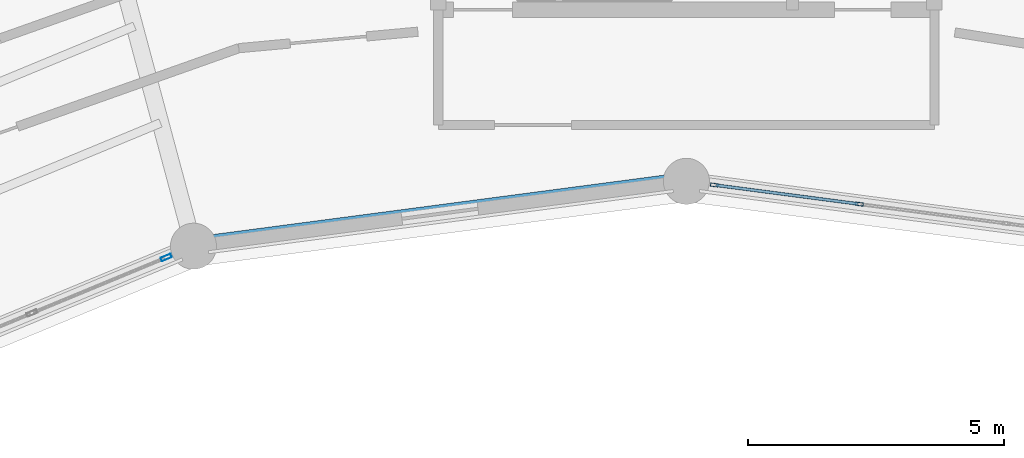
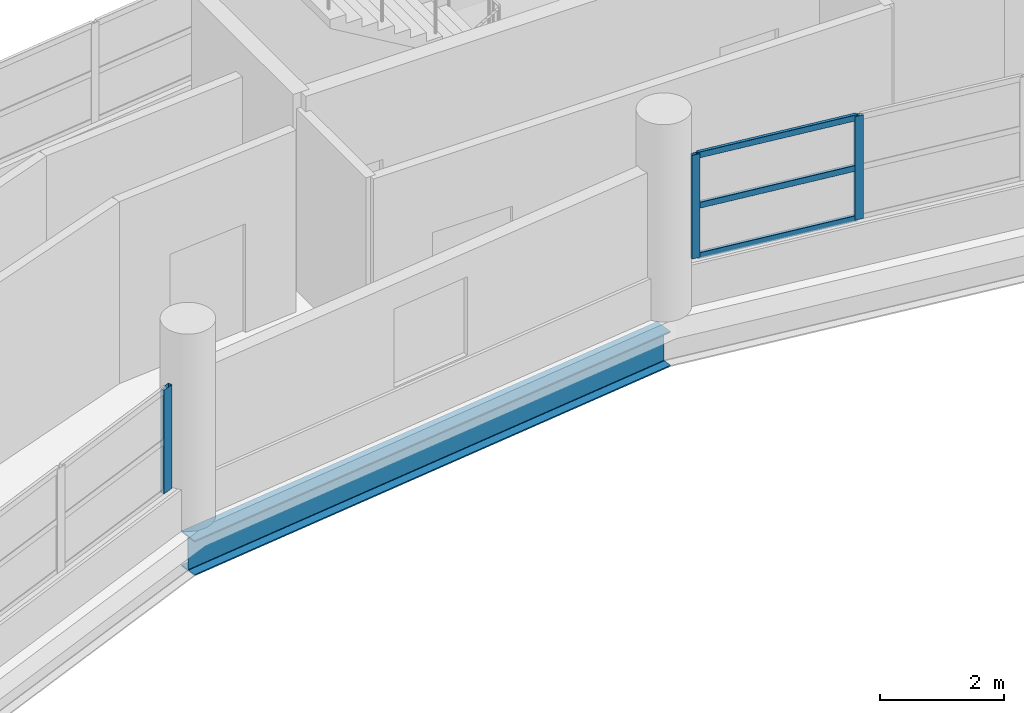
# One storey, part 73 of 108: 6 members, 1 beam, 2 elements without a shape of their own.
"""IFC4 building model written with IfcOpenShell, lengths in metres."""

from ifc_helpers import new_model, si_unit, direction, frame, origin, origin_2d, place, context, subcontext, project, spatial, hollow_rectangle, i_section, extrude, material, layer, layer_set, material_profile, profile_set, type_object, element, aggregate, save


model = new_model("IFC4")

# Units and contexts
model_context = context("Model", 3, precision=1e-05, world=origin(), true_north=direction((0.0, 1.0)))
body_context = subcontext(model_context, "Body", "Model", "MODEL_VIEW")
ifc_project = project(units=[si_unit("LENGTHUNIT", "METRE"), si_unit("AREAUNIT", "SQUARE_METRE"), si_unit("VOLUMEUNIT", "CUBIC_METRE"), si_unit("PLANEANGLEUNIT", "RADIAN"), si_unit("MASSUNIT", "GRAM", prefix="KILO")], contexts=[model_context])

# Site, building, storey
site_placement = place(None, origin())
site = spatial("IfcSite", under=ifc_project, at=site_placement, CompositionType="ELEMENT")
building_placement = place(site_placement, origin())
building = spatial("IfcBuilding", under=site, at=building_placement, Name="Vespera Passage Community Centre", CompositionType="ELEMENT")
storey_placement = place(building_placement, frame((0.0, 0.0, 12.60009765625)))
storey = spatial("IfcBuildingStorey", under=building, at=storey_placement, Name="L03", CompositionType="ELEMENT", Elevation=12.60009765625)

# Beam
ifc_material_1 = material(Name="Steel ASTM A992 Grade 50", Category="steel")
ifc_material_profile_1 = material_profile(ifc_material_1, i_section(OverallWidth=0.3544921875, OverallDepth=0.695556640625, WebThickness=0.015380859375, FlangeThickness=0.024658203125, FilletRadius=0.01513671875, at=origin_2d()), Name="W27X146")
ifc_profile_set_1 = profile_set([ifc_material_profile_1], Name="Steel ASTM A992 Grade 50")
beam_type = type_object("IfcBeamType", Name="BM-SP-W27X146E", PredefinedType="SPANDREL", material=ifc_profile_set_1)
beam_placement = place(storey_placement, frame((78.0, 102.699951171875, -0.747802734375), z_axis=(-0.991444794834, -0.130526697639, 0.0), x_axis=(0.130526697639, -0.991444794834, 0.0)))
element("IfcBeam", 1, at=beam_placement, inside=storey, type_object=beam_type, Name="V4 L03 Inner Spandrel 6", PredefinedType="SPANDREL", context=body_context, shape_type="SweptSolid", body=[
    extrude(i_section(OverallWidth=0.3544921875, OverallDepth=0.695556640625, WebThickness=0.015380859375, FlangeThickness=0.024658203125, FilletRadius=0.01513671875, at=origin_2d()), origin(), (0.0, 0.0, 1.0), 9.711181640625),
])

# Curtain wall, members
ifc_material_2 = material(Name="Anodized aluminium 6063-T6", Category="aluminium")
ifc_layer_1 = layer(ifc_material_2, 0.159912109375)
ifc_layer_set_1 = layer_set([ifc_layer_1], Name="Anodized aluminium 6063-T6")
curtain_wall_type_1 = type_object("IfcCurtainWallType", Name="CW-42E", PredefinedType="NOTDEFINED", material=ifc_layer_set_1)
curtain_wall_1_placement = place(storey_placement, origin())
curtain_wall_1 = element("IfcCurtainWall", 2, at=curtain_wall_1_placement, inside=storey, type_object=curtain_wall_type_1, Name="V4 L03 Inner Court Curtain Wall 5", PredefinedType="NOTDEFINED")
ifc_material_3 = material(Name="Anodized aluminium 6063-T6", Category="aluminium")
ifc_material_profile_2 = material_profile(ifc_material_3, hollow_rectangle(XDim=0.06494140625, YDim=0.14990234375, WallThickness=0.00390625, InnerFilletRadius=0.001953125, OuterFilletRadius=0.00390625, at=origin_2d()), Name="ALU150X65X4")
ifc_profile_set_2 = profile_set([ifc_material_profile_2], Name="Anodized aluminium 6063-T6")
member_type_1 = type_object("IfcMemberType", Name="MB-CWM-150E", PredefinedType="MULLION", material=ifc_profile_set_2)
member_1_placement = place(storey_placement, frame((81.38037109375, 102.2548828125, 0.81982421875), z_axis=(0.0, 0.0, 1.0), x_axis=(-0.1305221941, -0.991445387728, 0.0)))
member_1 = element("IfcMember", 3, at=member_1_placement, type_object=member_type_1, Name="CW-42E mullion 3", PredefinedType="MULLION", context=body_context, shape_type="SweptSolid", body=[
    extrude(hollow_rectangle(XDim=0.06494140625, YDim=0.14990234375, WallThickness=0.00390625, InnerFilletRadius=0.001953125, OuterFilletRadius=0.00390625, at=origin_2d()), origin(), (0.0, 0.0, 1.0), 2.049560546875),
])
member_2_placement = place(storey_placement, frame((78.54541015625, 102.628173828125, 0.81982421875), z_axis=(0.0, 0.0, 1.0), x_axis=(-0.1305221941, -0.991445387728, 0.0)))
member_2 = element("IfcMember", 4, at=member_2_placement, type_object=member_type_1, Name="CW-42E mullion 4", PredefinedType="MULLION", context=body_context, shape_type="SweptSolid", body=[
    extrude(hollow_rectangle(XDim=0.06494140625, YDim=0.14990234375, WallThickness=0.00390625, InnerFilletRadius=0.001953125, OuterFilletRadius=0.00390625, at=origin_2d()), origin(), (0.0, 0.0, 1.0), 2.049560546875),
])

# Curtain wall, member
ifc_material_4 = material(Name="Anodized aluminium 6063-T6", Category="aluminium")
ifc_layer_2 = layer(ifc_material_4, 0.159912109375)
ifc_layer_set_2 = layer_set([ifc_layer_2], Name="Anodized aluminium 6063-T6")
curtain_wall_type_2 = type_object("IfcCurtainWallType", Name="CW-40E", PredefinedType="NOTDEFINED", material=ifc_layer_set_2)
curtain_wall_2_placement = place(storey_placement, origin())
curtain_wall_2 = element("IfcCurtainWall", 5, at=curtain_wall_2_placement, inside=storey, type_object=curtain_wall_type_2, Name="V4 L03 Inner Court Curtain Wall 7", PredefinedType="NOTDEFINED")
ifc_material_5 = material(Name="Anodized aluminium 6063-T6", Category="aluminium")
ifc_material_profile_3 = material_profile(ifc_material_5, hollow_rectangle(XDim=0.074951171875, YDim=0.2099609375, WallThickness=0.0048828125, InnerFilletRadius=0.00244140625, OuterFilletRadius=0.0048828125, at=origin_2d()), Name="ALU210X75X5")
ifc_profile_set_3 = profile_set([ifc_material_profile_3], Name="Anodized aluminium 6063-T6")
member_type_2 = type_object("IfcMemberType", Name="MB-CWM-210E", PredefinedType="MULLION", material=ifc_profile_set_3)
member_3_placement = place(storey_placement, frame((67.838623046875, 101.211669921875, 0.81982421875), z_axis=(0.0, 0.0, 1.0), x_axis=(0.382690463482, -0.923876620096, 0.0)))
member_3 = element("IfcMember", 6, at=member_3_placement, type_object=member_type_2, Name="CW-40E mullion 1", PredefinedType="MULLION", context=body_context, shape_type="SweptSolid", body=[
    extrude(hollow_rectangle(XDim=0.074951171875, YDim=0.2099609375, WallThickness=0.0048828125, InnerFilletRadius=0.00244140625, OuterFilletRadius=0.0048828125, at=origin_2d()), origin(), (0.0, 0.0, 1.0), 2.049560546875),
])
aggregate(curtain_wall_2, [member_3])

# Member
ifc_material_6 = material(Name="Anodized aluminium 6063-T6", Category="aluminium")
ifc_material_profile_4 = material_profile(ifc_material_6, hollow_rectangle(XDim=0.06005859375, YDim=0.1201171875, WallThickness=0.00390625, InnerFilletRadius=0.001953125, OuterFilletRadius=0.00390625, at=origin_2d()), Name="ALU120X60X4")
ifc_profile_set_4 = profile_set([ifc_material_profile_4], Name="Anodized aluminium 6063-T6")
member_type_3 = type_object("IfcMemberType", Name="MB-CWT-120E", PredefinedType="USERDEFINED", material=ifc_profile_set_4)
member_4_placement = place(storey_placement, frame((81.34814453125, 102.25927734375, 0.849853515625), z_axis=(-0.991444777059, 0.130526832651, 0.0), x_axis=(-0.130526832651, -0.991444777059, 0.0)))
member_4 = element("IfcMember", 7, at=member_4_placement, type_object=member_type_3, Name="CW-42E transom 3.1", ObjectType="TRANSOM", PredefinedType="USERDEFINED", context=body_context, shape_type="SweptSolid", body=[
    extrude(hollow_rectangle(XDim=0.06005859375, YDim=0.1201171875, WallThickness=0.00390625, InnerFilletRadius=0.001953125, OuterFilletRadius=0.00390625, at=origin_2d()), origin(), (0.0, 0.0, 1.0), 2.79443359375),
])

member_5_placement = place(storey_placement, frame((81.34814453125, 102.25927734375, 1.844482421875), z_axis=(-0.991444777059, 0.130526832651, 0.0), x_axis=(-0.130526832651, -0.991444777059, 0.0)))
member_5 = element("IfcMember", 8, at=member_5_placement, type_object=member_type_3, Name="CW-42E transom 3.2", ObjectType="TRANSOM", PredefinedType="USERDEFINED", context=body_context, shape_type="SweptSolid", body=[
    extrude(hollow_rectangle(XDim=0.06005859375, YDim=0.1201171875, WallThickness=0.00390625, InnerFilletRadius=0.001953125, OuterFilletRadius=0.00390625, at=origin_2d()), origin(), (0.0, 0.0, 1.0), 2.79443359375),
])

member_6_placement = place(storey_placement, frame((81.34814453125, 102.25927734375, 2.83935546875), z_axis=(-0.991444777059, 0.130526832651, 0.0), x_axis=(-0.130526832651, -0.991444777059, 0.0)))
member_6 = element("IfcMember", 9, at=member_6_placement, type_object=member_type_3, Name="CW-42E transom 3.3", ObjectType="TRANSOM", PredefinedType="USERDEFINED", context=body_context, shape_type="SweptSolid", body=[
    extrude(hollow_rectangle(XDim=0.06005859375, YDim=0.1201171875, WallThickness=0.00390625, InnerFilletRadius=0.001953125, OuterFilletRadius=0.00390625, at=origin_2d()), origin(), (0.0, 0.0, 1.0), 2.79443359375),
])

aggregate(curtain_wall_1, [member_1, member_2, member_4, member_5, member_6])

save(model, "model.ifc")
